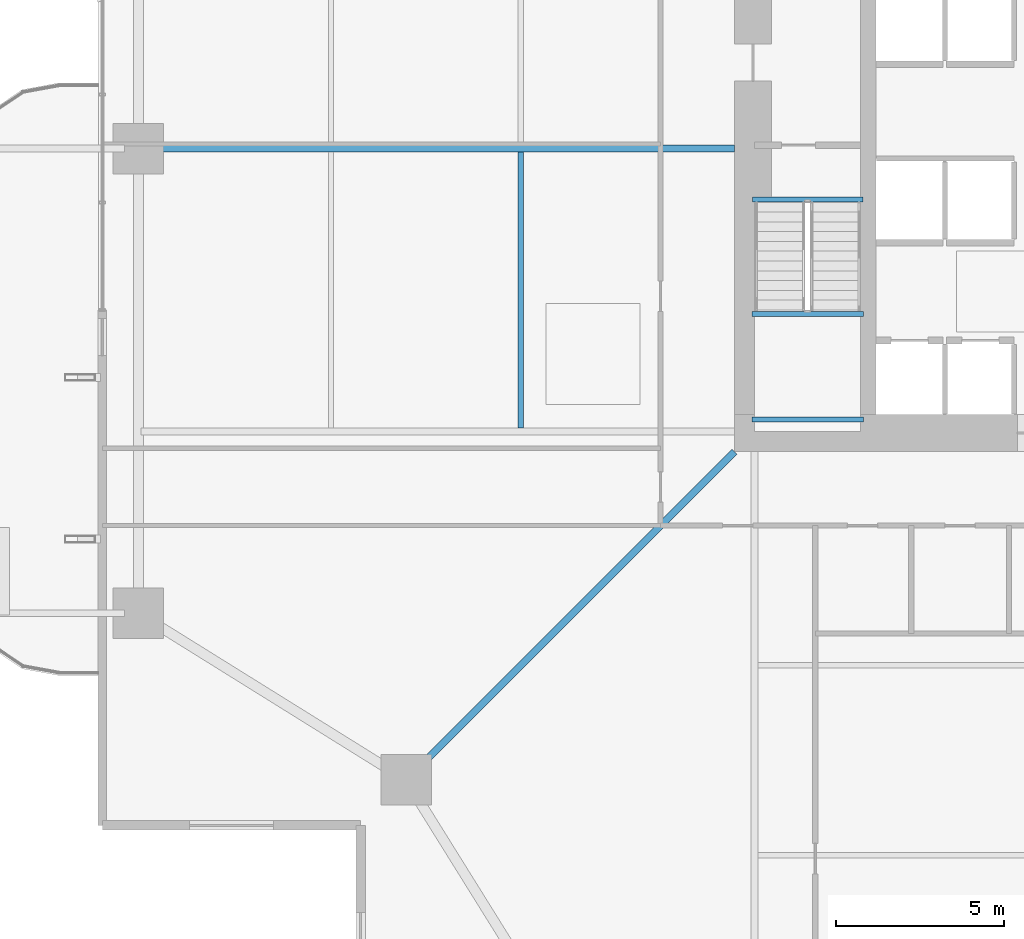
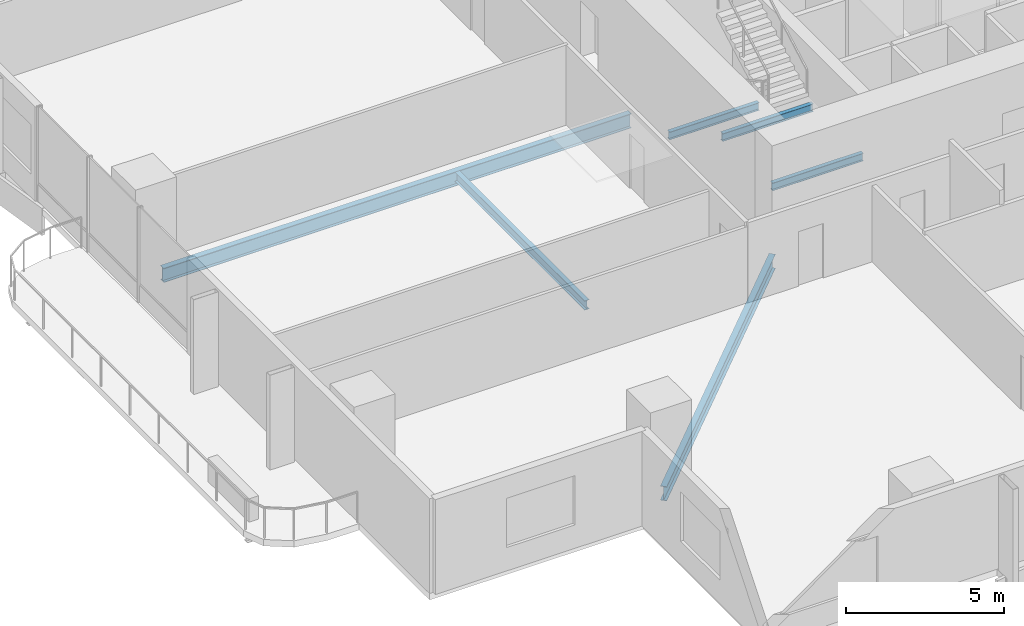
# One storey, part 5 of 24: 6 beams.
"""IFC4 building model written with IfcOpenShell, lengths in metres."""

import ifcopenshell
import ifcopenshell.guid

model = None  # the IFC model being written
_history = None  # IfcOwnerHistory: only IFC2X3 demands one
_inside = {}  # id of a spatial element -> (the spatial element, [elements in it])
_under = {}  # id of a project, library or spatial element -> (it, [spatial elements below it])
_declared = {}  # id of a project -> (the project, [libraries it declares])
_typed = {}  # id of a type object -> (the type object, [elements of that type])
_made_of = {}  # id of a material, layer set ... -> (it, [elements and type objects made of it])


def new_model(schema):
    """Start an empty IFC model of exactly this schema.

    Asked for "IFC4X3", IfcOpenShell would pick the latest addendum, in which some entities
    have other attributes; the version numbers below select the first issue.
    IFC2X3 requires an IfcOwnerHistory on every rooted entity: one is made here for all.
    """
    global model, _history
    if schema == "IFC4X3":
        model = ifcopenshell.file(schema_version=(4, 3, 0, 0))
    else:
        model = ifcopenshell.file(schema=schema)
    _inside.clear()
    _under.clear()
    _declared.clear()
    _typed.clear()
    _made_of.clear()
    _history = None
    if model.schema == "IFC2X3":
        org = make("IfcOrganization", Name="unknown")
        user = make(
            "IfcPersonAndOrganization",
            ThePerson=make("IfcPerson", FamilyName="unknown"),
            TheOrganization=org,
        )
        app = make(
            "IfcApplication",
            ApplicationDeveloper=org,
            Version="unknown",
            ApplicationFullName="unknown",
            ApplicationIdentifier="unknown",
        )
        _history = make(
            "IfcOwnerHistory",
            OwningUser=user,
            OwningApplication=app,
            ChangeAction="ADDED",
            CreationDate=0,
        )
    return model


def make(cls, **values):
    """One entity of the class cls with the attributes given. An attribute that is None is left unset."""
    return model.create_entity(
        cls, **{name: value for name, value in values.items() if value is not None}
    )


def rooted(cls, **values):
    """An entity with a GlobalId (a new one), such as an element, a storey or a relation."""
    return make(cls, GlobalId=ifcopenshell.guid.new(), OwnerHistory=_history, **values)


def si_unit(unit_type, name, prefix=None):
    """IfcSIUnit, for example si_unit("LENGTHUNIT", "METRE", prefix="MILLI")."""
    return make("IfcSIUnit", UnitType=unit_type, Prefix=prefix, Name=name)


def assignment(units):
    """IfcUnitAssignment: the units of a project."""
    return None if units is None else make("IfcUnitAssignment", Units=units)


def point(xyz):
    """IfcCartesianPoint."""
    return None if xyz is None else make("IfcCartesianPoint", Coordinates=xyz)


def direction(xyz):
    """IfcDirection."""
    return None if xyz is None else make("IfcDirection", DirectionRatios=xyz)


def frame(location, z_axis=None, x_axis=None):
    """IfcAxis2Placement3D, a coordinate frame: its origin and axes. An axis left out is left unset."""
    return make(
        "IfcAxis2Placement3D",
        Location=point(location),
        Axis=direction(z_axis),
        RefDirection=direction(x_axis),
    )


def frame_2d(location, x_axis=None):
    """IfcAxis2Placement2D, a coordinate frame in the plane: its origin and x axis."""
    return make(
        "IfcAxis2Placement2D", Location=point(location), RefDirection=direction(x_axis)
    )


def origin():
    """The frame at (0, 0, 0) with its axes left unset."""
    return frame((0.0, 0.0, 0.0))


def origin_2d():
    """The frame at (0, 0) in the plane with its x axis left unset."""
    return frame_2d((0.0, 0.0))


def place(relative_to, where):
    """IfcLocalPlacement: puts the frame where relative to a parent placement (None: the world)."""
    return make(
        "IfcLocalPlacement", PlacementRelTo=relative_to, RelativePlacement=where
    )


def context(
    kind, dimensions, precision=None, world=None, true_north=None, identifier=None
):
    """IfcGeometricRepresentationContext, for example the 3D "Model" context."""
    return make(
        "IfcGeometricRepresentationContext",
        ContextIdentifier=identifier,
        ContextType=kind,
        CoordinateSpaceDimension=dimensions,
        Precision=precision,
        WorldCoordinateSystem=world,
        TrueNorth=true_north,
    )


def subcontext(parent, identifier, kind, view, scale=None):
    """IfcGeometricRepresentationSubContext, for example "Body" below "Model"."""
    return make(
        "IfcGeometricRepresentationSubContext",
        ContextIdentifier=identifier,
        ContextType=kind,
        ParentContext=parent,
        TargetScale=scale,
        TargetView=view,
    )


def project(units=None, contexts=None):
    """IfcProject with its units and contexts."""
    return rooted(
        "IfcProject",
        Name="project",
        RepresentationContexts=contexts,
        UnitsInContext=assignment(units),
    )


def spatial(cls, under=None, at=None, **own):
    """A site, building, storey or space (cls), placed at a placement, below another one or the project."""
    s = rooted(cls, ObjectPlacement=at, **own)
    if under is not None:
        _under.setdefault(under.id(), (under, []))[1].append(s)
    return s


def profile(cls, at=None, kind="AREA", **sizes):
    """A parametric profile (cls). Its sizes go by their IFC names, for example OverallWidth=200.0."""
    return make(cls, ProfileType=kind, Position=at, **sizes)


def i_section(**sizes):
    """IfcIShapeProfileDef."""
    return profile("IfcIShapeProfileDef", **sizes)


def extrude(swept, where, along, depth):
    """IfcExtrudedAreaSolid: the profile swept, set in the frame where, extruded along a direction by depth."""
    return make(
        "IfcExtrudedAreaSolid",
        SweptArea=swept,
        Position=where,
        ExtrudedDirection=direction(along),
        Depth=depth,
    )


def shape(context_of_items, identifier, shape_type, items):
    """IfcShapeRepresentation: the items that make up one representation, for example the "Body"."""
    return make(
        "IfcShapeRepresentation",
        ContextOfItems=context_of_items,
        RepresentationIdentifier=identifier,
        RepresentationType=shape_type,
        Items=items,
    )


def material(Name=None, Category=None):
    """IfcMaterial."""
    return make("IfcMaterial", Name=Name, Category=Category)


def material_profile(
    of_material, cross_section, Name=None, Category=None, Priority=None
):
    """IfcMaterialProfile: a cross section and its material."""
    return make(
        "IfcMaterialProfile",
        Name=Name,
        Material=of_material,
        Profile=cross_section,
        Priority=Priority,
        Category=Category,
    )


def profile_set(profiles, Name=None, composite=None):
    """IfcMaterialProfileSet."""
    return make(
        "IfcMaterialProfileSet",
        Name=Name,
        MaterialProfiles=profiles,
        CompositeProfile=composite,
    )


def made_of(thing, what):
    """Note that an element or type object is made of a material, layer set ...; save() writes the relation."""
    if what is not None:
        _made_of.setdefault(what.id(), (what, []))[1].append(thing)
    return thing


def type_object(cls, material=None, **own):
    """A type object (cls), such as IfcWallType, which elements share."""
    return made_of(rooted(cls, **own), material)


def element(
    cls,
    number,
    at=None,
    inside=None,
    cuts=None,
    type_object=None,
    material=None,
    context=None,
    identifier="Body",
    shape_type=None,
    held_by="IfcProductDefinitionShape",
    body=None,
    shapes=None,
    **own,
):
    """One element of the class cls, such as IfcWall. Its Tag is "e" and its number.

    at: its placement. inside: the storey or other place that contains it. cuts: it is an
    opening in that element (IfcRelVoidsElement). A single representation is given by context,
    identifier, shape_type and body (its items); several are given by shapes. held_by: the class
    of the entity that holds the representations. save() writes the other relations.
    """
    e = rooted(cls, Tag="e%d" % number, ObjectPlacement=at, **own)
    if body is not None:
        shapes = [shape(context, identifier, shape_type, body)]
    if shapes is not None:
        e.Representation = make(held_by, Representations=shapes)
    if inside is not None:
        _inside.setdefault(inside.id(), (inside, []))[1].append(e)
    if cuts is not None:
        rooted(
            "IfcRelVoidsElement", RelatingBuildingElement=cuts, RelatedOpeningElement=e
        )
    if type_object is not None:
        _typed.setdefault(type_object.id(), (type_object, []))[1].append(e)
    return made_of(e, material)


def aggregate(whole, parts):
    """IfcRelAggregates: a whole, such as a stair, and the parts it consists of."""
    return rooted("IfcRelAggregates", RelatingObject=whole, RelatedObjects=parts)


def save(model, path):
    """Write the relations noted so far, then the file.

    IfcRelAggregates (storeys below a building ...), IfcRelContainedInSpatialStructure (elements
    in a storey), IfcRelDefinesByType, IfcRelAssociatesMaterial and IfcRelDeclares: one each for
    every whole, place, type object, material and project.
    """
    for whole, parts in _under.values():
        aggregate(whole, parts)
    for where, things in _inside.values():
        rooted(
            "IfcRelContainedInSpatialStructure",
            RelatedElements=things,
            RelatingStructure=where,
        )
    for kind, things in _typed.values():
        rooted("IfcRelDefinesByType", RelatedObjects=things, RelatingType=kind)
    for what, things in _made_of.values():
        rooted("IfcRelAssociatesMaterial", RelatedObjects=things, RelatingMaterial=what)
    for by, libraries in _declared.values():
        rooted("IfcRelDeclares", RelatingContext=by, RelatedDefinitions=libraries)
    model.write(path)


model = new_model("IFC4")

# Units and contexts
model_context = context("Model", 3, precision=1e-05, world=origin(), true_north=direction((0.0, 1.0)))
body_context = subcontext(model_context, "Body", "Model", "MODEL_VIEW")
ifc_project = project(units=[si_unit("LENGTHUNIT", "METRE"), si_unit("AREAUNIT", "SQUARE_METRE"), si_unit("VOLUMEUNIT", "CUBIC_METRE"), si_unit("PLANEANGLEUNIT", "RADIAN"), si_unit("MASSUNIT", "GRAM", prefix="KILO")], contexts=[model_context])

# Site, building, storey
site_placement = place(None, origin())
site = spatial("IfcSite", under=ifc_project, at=site_placement, CompositionType="ELEMENT")
building_placement = place(site_placement, origin())
building = spatial("IfcBuilding", under=site, at=building_placement, Name="Belovzor Exchange Tower", CompositionType="ELEMENT")
storey_placement = place(building_placement, frame((0.0, 0.0, 92.39990234375)))
storey = spatial("IfcBuildingStorey", under=building, at=storey_placement, Name="L22", CompositionType="ELEMENT", Elevation=92.39990234375)

# Beams
ifc_material_1 = material(Name="Steel S355", Category="steel")
ifc_material_profile_1 = material_profile(ifc_material_1, i_section(OverallWidth=0.169921875, OverallDepth=0.360107421875, WebThickness=0.008056640625, FlangeThickness=0.0126953125, at=origin_2d()))
ifc_profile_set_1 = profile_set([ifc_material_profile_1], Name="Steel S355")
beam_type_1 = type_object("IfcBeamType", Name="Secondary Infill Floor Joist IPE 360", PredefinedType="BEAM", material=ifc_profile_set_1)
beam_1_placement = place(storey_placement, frame((13.455078125, 20.5048828125, -0.429931640625), z_axis=(0.0, 1.0, 0.0), x_axis=(-1.0, 0.0, 0.0)))
element("IfcBeam", 1, at=beam_1_placement, inside=storey, type_object=beam_type_1, Name="FJ-360 Secondary Infill Floor Joist IPE 360", PredefinedType="BEAM", context=body_context, shape_type="SweptSolid", body=[
    extrude(i_section(OverallWidth=0.169921875, OverallDepth=0.360107421875, WebThickness=0.008056640625, FlangeThickness=0.0126953125, at=origin_2d()), origin(), (0.0, 0.0, 1.0), 8.190185546875),
])
ifc_material_2 = material(Name="Steel S355", Category="steel")
ifc_material_profile_2 = material_profile(ifc_material_2, i_section(OverallWidth=0.14990234375, OverallDepth=0.300048828125, WebThickness=0.007080078125, FlangeThickness=0.0107421875, at=origin_2d()))
ifc_profile_set_2 = profile_set([ifc_material_profile_2], Name="Steel S355")
beam_type_2 = type_object("IfcBeamType", Name="Secondary Trim Floor Joist IPE 300", PredefinedType="BEAM", material=ifc_profile_set_2)
for number, where, z_axis, x_axis, name in (
    (2, (20.320068359375, 23.889892578125, 1.60009765625), (1.0, 0.0, 0.0), (0.0, 1.0, 0.0), "FJ-300 Secondary Trim Floor Joist IPE 300"),
    (3, (20.320068359375, 20.75, 1.60009765625), (1.0, 0.0, 0.0), (0.0, 1.0, 0.0), "FJ-300 Secondary Trim Floor Joist IPE 300"),
):
    element("IfcBeam", number, at=place(storey_placement, frame(where, z_axis=z_axis, x_axis=x_axis)), inside=storey, type_object=beam_type_2, Name=name, PredefinedType="BEAM", context=body_context, shape_type="SweptSolid", body=[
        extrude(i_section(OverallWidth=0.14990234375, OverallDepth=0.300048828125, WebThickness=0.007080078125, FlangeThickness=0.0107421875, at=origin_2d()), origin(), (0.0, 0.0, 1.0), 3.309814453125),
    ])
beam_2_placement = place(storey_placement, frame((20.340087890625, 27.280029296875, -0.39990234375), z_axis=(1.0, 0.0, 0.0), x_axis=(0.0, 1.0, 0.0)))
element("IfcBeam", 4, at=beam_2_placement, inside=storey, type_object=beam_type_2, Name="FJ-300 Secondary Trim Floor Joist IPE 300", PredefinedType="BEAM", context=body_context, shape_type="SweptSolid", body=[
    extrude(i_section(OverallWidth=0.14990234375, OverallDepth=0.300048828125, WebThickness=0.007080078125, FlangeThickness=0.0107421875, at=origin_2d()), origin(), (0.0, 0.0, 1.0), 3.27001953125),
])
ifc_material_3 = material(Name="Steel S355", Category="steel")
ifc_material_profile_3 = material_profile(ifc_material_3, i_section(OverallWidth=0.2099609375, OverallDepth=0.550048828125, WebThickness=0.010986328125, FlangeThickness=0.01708984375, at=origin_2d()))
ifc_profile_set_3 = profile_set([ifc_material_profile_3], Name="Steel S355")
beam_type_3 = type_object("IfcBeamType", Name="Zone 1 Radial Composite Floor Beam IPE 550", PredefinedType="BEAM", material=ifc_profile_set_3)
beam_3_placement = place(storey_placement, frame((19.800048828125, 28.800048828125, -0.52490234375), z_axis=(-1.0, 0.0, 0.0), x_axis=(0.0, -1.0, 0.0)))
element("IfcBeam", 5, at=beam_3_placement, inside=storey, type_object=beam_type_3, Name="FB-550 Zone 1 Radial Composite Floor Beam IPE 550", PredefinedType="BEAM", context=body_context, shape_type="SweptSolid", body=[
    extrude(i_section(OverallWidth=0.2099609375, OverallDepth=0.550048828125, WebThickness=0.010986328125, FlangeThickness=0.01708984375, at=origin_2d()), origin(), (0.0, 0.0, 1.0), 17.0400390625),
])
beam_4_placement = place(storey_placement, frame((19.800048828125, 19.800048828125, -0.52490234375), z_axis=(-0.707106781187, -0.707106781187, 0.0), x_axis=(0.707106781187, -0.707106781187, 0.0)))
element("IfcBeam", 6, at=beam_4_placement, inside=storey, type_object=beam_type_3, Name="FB-550 Zone 1 Radial Composite Floor Beam IPE 550", PredefinedType="BEAM", context=body_context, shape_type="SweptSolid", body=[
    extrude(i_section(OverallWidth=0.2099609375, OverallDepth=0.550048828125, WebThickness=0.010986328125, FlangeThickness=0.01708984375, at=origin_2d()), origin(), (0.0, 0.0, 1.0), 13.25830078125),
])

save(model, "model.ifc")
